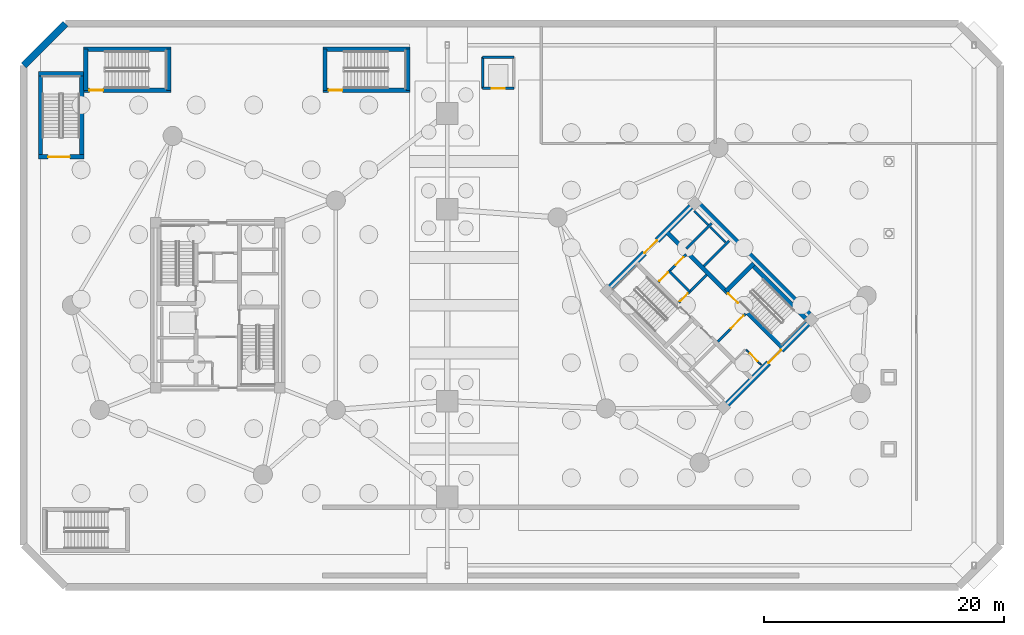
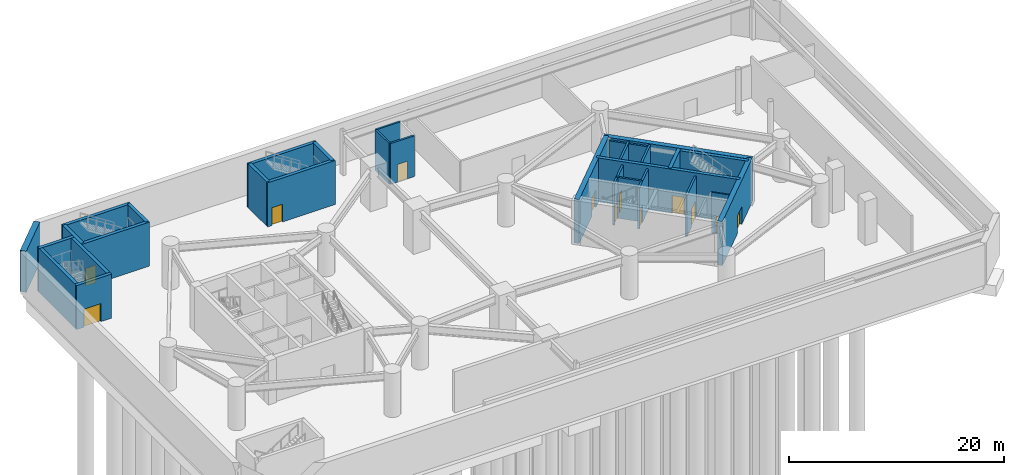
# One storey, part 8 of 15: 31 walls, 12 doors, 12 openings.
"""IFC4 building model written with IfcOpenShell, lengths in metres."""

from ifc_helpers import new_model, si_unit, direction, frame, frame_2d, origin, place, context, subcontext, project, spatial, rectangle, extrude, source, transform, mapped, material, layer, layer_set, type_object, element, fill, save


model = new_model("IFC4")

# Units and contexts
model_context = context("Model", 3, precision=1e-05, world=origin(), true_north=direction((0.0, 1.0)))
body_context = subcontext(model_context, "Body", "Model", "MODEL_VIEW")
ifc_project = project(units=[si_unit("LENGTHUNIT", "METRE"), si_unit("AREAUNIT", "SQUARE_METRE"), si_unit("VOLUMEUNIT", "CUBIC_METRE"), si_unit("PLANEANGLEUNIT", "RADIAN"), si_unit("MASSUNIT", "GRAM", prefix="KILO")], contexts=[model_context])

# Site, building, storey
site_placement = place(None, origin())
site = spatial("IfcSite", under=ifc_project, at=site_placement, CompositionType="ELEMENT")
building_placement = place(site_placement, origin())
building = spatial("IfcBuilding", under=site, at=building_placement, Name="Cununo Teusaquillo Station Towers", CompositionType="ELEMENT")
storey_placement = place(building_placement, frame((0.0, 0.0, -10.0)))
storey = spatial("IfcBuildingStorey", under=building, at=storey_placement, Name="B02", CompositionType="ELEMENT", Elevation=-10.0)

# Walls
ifc_material_1 = material(Name="Concrete C50/60", Category="concrete")
ifc_layer_1 = layer(ifc_material_1, 0.199951171875)
ifc_layer_set_1 = layer_set([ifc_layer_1], Name="Concrete C50/60")
wall_type_1 = type_object("IfcWallType", Name="WL-CORE-200", PredefinedType="SHEAR", material=ifc_layer_set_1)
wall_1_placement = place(storey_placement, frame((57.0615234375, 27.781005859375, 0.0), z_axis=(0.0, 0.0, 1.0), x_axis=(0.707106781187, 0.707106781187, 0.0)))
element("IfcWall", 1, at=wall_1_placement, inside=storey, type_object=wall_type_1, Name="B02 Tower B Low-Rise Lift Hoistway South Shear Wall", PredefinedType="SHEAR", context=body_context, shape_type="SweptSolid", body=[
    extrude(rectangle(XDim=2.969970703125, YDim=0.199951171875, at=frame_2d((1.48486328125, 0.0))), origin(), (0.0, 0.0, 1.0), 5.0),
])
wall_2_placement = place(storey_placement, frame((55.615478515625, 29.22705078125, 0.0), z_axis=(0.0, 0.0, 1.0), x_axis=(0.707147878904, 0.70706568108, 0.0)))
element("IfcWall", 2, at=wall_2_placement, inside=storey, type_object=wall_type_1, Name="B02 Tower B Low-Rise Lift Hoistway Divider Shear Wall", PredefinedType="SHEAR", context=body_context, shape_type="SweptSolid", body=[
    extrude(rectangle(XDim=2.97021484375, YDim=0.199951171875, at=frame_2d((1.485107421875, 0.0))), origin(), (0.0, 0.0, 1.0), 5.0),
])
wall_3_placement = place(storey_placement, frame((58.86474609375, 29.75390625, 0.0), z_axis=(0.0, 0.0, 1.0), x_axis=(-0.707174411312, 0.707039144592, 0.0)))
element("IfcWall", 3, at=wall_3_placement, inside=storey, type_object=wall_type_1, Name="B02 Tower B Low-Rise Lift 1 Shaft Rear Shear Wall", PredefinedType="SHEAR", context=body_context, shape_type="SweptSolid", body=[
    extrude(rectangle(XDim=1.804931640625, YDim=0.199951171875, at=frame_2d((0.90234375, 0.0))), origin(), (0.0, 0.0, 1.0), 5.0),
])
wall_4_placement = place(storey_placement, frame((57.418701171875, 31.19970703125, 0.0), z_axis=(0.0, 0.0, 1.0), x_axis=(-0.707032117043, 0.707181437447, 0.0)))
element("IfcWall", 4, at=wall_4_placement, inside=storey, type_object=wall_type_1, Name="B02 Tower B Low-Rise Lift 2 Shaft Rear Shear Wall", PredefinedType="SHEAR", context=body_context, shape_type="SweptSolid", body=[
    extrude(rectangle(XDim=1.635009765625, YDim=0.199951171875, at=frame_2d((0.8173828125, 0.0))), origin(), (0.0, 0.0, 1.0), 5.0),
])

# Wall, opening, door
ifc_material_2 = material(Name="Concrete C50/60", Category="concrete")
ifc_layer_2 = layer(ifc_material_2, 0.35009765625)
ifc_layer_set_2 = layer_set([ifc_layer_2], Name="Concrete C50/60")
wall_type_2 = type_object("IfcWallType", Name="WL-CORE-350", PredefinedType="SHEAR", material=ifc_layer_set_2)
wall_5_placement = place(storey_placement, frame((25.260009765625, 42.43505859375, 0.0), z_axis=(0.0, 0.0, 1.0), x_axis=(1.0, 0.0, 0.0)))
wall_5 = element("IfcWall", 5, at=wall_5_placement, inside=storey, type_object=wall_type_2, Name="B02 Podium North Exit Stair Concrete Shaft Wall S", PredefinedType="SHEAR", context=body_context, shape_type="SweptSolid", body=[
    extrude(rectangle(XDim=7.280029296875, YDim=0.35009765625, at=frame_2d((3.64013671875, 0.0))), origin(), (0.0, 0.0, 1.0), 5.0),
])
shared_shape_1 = source(origin(), body_context, "Body", "SweptSolid", [
    extrude(rectangle(XDim=1.14990234375, YDim=2.02001953125, at=frame_2d((0.574951171875, 1.010009765625))), frame((0.0, 0.18505859375, 0.0), z_axis=(0.0, -1.0, 0.0), x_axis=(1.0, 0.0, 0.0)), (0.0, 0.0, 1.0), 0.3701171875),
])
opening_1_placement = place(wall_5_placement, frame((0.47998046875, 0.0, 0.0)))
opening_1 = element("IfcOpeningElement", 6, at=opening_1_placement, cuts=wall_5, Name="Opening D-ST1", PredefinedType="OPENING", context=body_context, shape_type="MappedRepresentation", body=[
    mapped(shared_shape_1, transform((0.0, 0.0, 0.0), x_axis=(1.0, 0.0, 0.0), y_axis=(0.0, 1.0, 0.0), z_axis=(0.0, 0.0, 1.0), scale=1.0)),
])
ifc_material_3 = material(Name="Galvanised fire-rated hollow steel door assembly", Category="steel")
door_type_1 = type_object("IfcDoorType", Name="DR-STAIR-1150", OperationType="NOTDEFINED", PredefinedType="DOOR", material=ifc_material_3)
shared_shape_2 = source(origin(), body_context, "Body", "SweptSolid", [
    extrude(rectangle(XDim=1.14990234375, YDim=2.02001953125, at=frame_2d((0.574951171875, 1.010009765625))), frame((0.0, 0.02490234375, 0.0), z_axis=(0.0, -1.0, 0.0), x_axis=(1.0, 0.0, 0.0)), (0.0, 0.0, 1.0), 0.050048828125),
])
door_1_placement = place(opening_1_placement, origin())
door_1 = element("IfcDoor", 7, at=door_1_placement, inside=storey, type_object=door_type_1, Name="B02 North Podium Exit Stair Door", OperationType="SINGLE_SWING_RIGHT", OverallHeight=2.02001953125, OverallWidth=1.14990234375, PredefinedType="DOOR", context=body_context, shape_type="MappedRepresentation", body=[
    mapped(shared_shape_2, transform((0.0, 0.0, 0.0), x_axis=(1.0, 0.0, 0.0), y_axis=(0.0, 1.0, 0.0), z_axis=(0.0, 0.0, 1.0), scale=1.0)),
])
fill(opening_1, door_1)

# Walls
wall_6_placement = place(storey_placement, frame((25.260009765625, 45.864990234375, 0.0), z_axis=(0.0, 0.0, 1.0), x_axis=(1.0, 0.0, 0.0)))
element("IfcWall", 8, at=wall_6_placement, inside=storey, type_object=wall_type_2, Name="B02 Podium North Exit Stair Concrete Shaft Wall N", PredefinedType="SHEAR", context=body_context, shape_type="SweptSolid", body=[
    extrude(rectangle(XDim=7.280029296875, YDim=0.35009765625, at=frame_2d((3.64013671875, 0.0))), origin(), (0.0, 0.0, 1.0), 5.0),
])
for number, where, z_axis, x_axis, name in (
    (9, (25.43505859375, 42.43505859375, 0.0), (0.0, 0.0, 1.0), (0.0, 1.0, 0.0), "B02 Podium North Exit Stair Concrete Shaft Wall W"),
    (10, (32.364990234375, 42.43505859375, 0.0), (0.0, 0.0, 1.0), (0.0, 1.0, 0.0), "B02 Podium North Exit Stair Concrete Shaft Wall E"),
):
    element("IfcWall", number, at=place(storey_placement, frame(where, z_axis=z_axis, x_axis=x_axis)), inside=storey, type_object=wall_type_2, Name=name, PredefinedType="SHEAR", context=body_context, shape_type="SweptSolid", body=[
        extrude(rectangle(XDim=3.429931640625, YDim=0.35009765625, at=frame_2d((1.71484375, 0.0))), origin(), (0.0, 0.0, 1.0), 5.0),
    ])

# Wall, opening, door
wall_7_placement = place(storey_placement, frame((1.5400390625, 36.885009765625, 0.0), z_axis=(0.0, 0.0, 1.0), x_axis=(1.0, 0.0, 0.0)))
wall_7 = element("IfcWall", 11, at=wall_7_placement, inside=storey, type_object=wall_type_2, Name="B02 Podium West Exit Stair Concrete Shaft Wall S", PredefinedType="SHEAR", context=body_context, shape_type="SweptSolid", body=[
    extrude(rectangle(XDim=3.780029296875, YDim=0.35009765625, at=frame_2d((1.89013671875, 0.0))), origin(), (0.0, 0.0, 1.0), 5.0),
])
shared_shape_3 = source(origin(), body_context, "Body", "SweptSolid", [
    extrude(rectangle(XDim=1.800048828125, YDim=2.050048828125, at=frame_2d((0.89990234375, 1.02490234375))), frame((0.0, 0.18505859375, 0.0), z_axis=(0.0, -1.0, 0.0), x_axis=(1.0, 0.0, 0.0)), (0.0, 0.0, 1.0), 0.3701171875),
])
opening_2_placement = place(wall_7_placement, frame((0.81494140625, 0.0, 0.0)))
opening_2 = element("IfcOpeningElement", 12, at=opening_2_placement, cuts=wall_7, Name="Opening D-BG1", PredefinedType="OPENING", context=body_context, shape_type="MappedRepresentation", body=[
    mapped(shared_shape_3, transform((0.0, 0.0, 0.0), x_axis=(1.0, 0.0, 0.0), y_axis=(0.0, 1.0, 0.0), z_axis=(0.0, 0.0, 1.0), scale=1.0)),
])
ifc_material_4 = material(Name="Galvanised fire-rated hollow steel door assembly", Category="steel")
door_type_2 = type_object("IfcDoorType", Name="DR-BRIDGE-1800", OperationType="DOUBLE_DOOR_SINGLE_SWING", PredefinedType="DOOR", material=ifc_material_4)
shared_shape_4 = source(origin(), body_context, "Body", "SweptSolid", [
    extrude(rectangle(XDim=1.800048828125, YDim=2.050048828125, at=frame_2d((0.89990234375, 1.02490234375))), frame((0.0, 0.02490234375, 0.0), z_axis=(0.0, -1.0, 0.0), x_axis=(1.0, 0.0, 0.0)), (0.0, 0.0, 1.0), 0.050048828125),
])
door_2_placement = place(opening_2_placement, origin())
door_2 = element("IfcDoor", 13, at=door_2_placement, inside=storey, type_object=door_type_2, Name="B02 West Podium Exit Stair Door", OperationType="DOUBLE_DOOR_SINGLE_SWING", OverallHeight=2.050048828125, OverallWidth=1.800048828125, PredefinedType="DOOR", context=body_context, shape_type="MappedRepresentation", body=[
    mapped(shared_shape_4, transform((0.0, 0.0, 0.0), x_axis=(1.0, 0.0, 0.0), y_axis=(0.0, 1.0, 0.0), z_axis=(0.0, 0.0, 1.0), scale=1.0)),
])
fill(opening_2, door_2)

# Walls
wall_8_placement = place(storey_placement, frame((1.5400390625, 43.81494140625, 0.0), z_axis=(0.0, 0.0, 1.0), x_axis=(1.0, 0.0, 0.0)))
element("IfcWall", 14, at=wall_8_placement, inside=storey, type_object=wall_type_2, Name="B02 Podium West Exit Stair Concrete Shaft Wall N", PredefinedType="SHEAR", context=body_context, shape_type="SweptSolid", body=[
    extrude(rectangle(XDim=3.780029296875, YDim=0.35009765625, at=frame_2d((1.89013671875, 0.0))), origin(), (0.0, 0.0, 1.0), 5.0),
])
for number, where, z_axis, x_axis, name in (
    (15, (1.715087890625, 36.885009765625, 0.0), (0.0, 0.0, 1.0), (0.0, 1.0, 0.0), "B02 Podium West Exit Stair Concrete Shaft Wall W"),
    (16, (5.14501953125, 36.885009765625, 0.0), (0.0, 0.0, 1.0), (0.0, 1.0, 0.0), "B02 Podium West Exit Stair Concrete Shaft Wall E"),
):
    element("IfcWall", number, at=place(storey_placement, frame(where, z_axis=z_axis, x_axis=x_axis)), inside=storey, type_object=wall_type_2, Name=name, PredefinedType="SHEAR", context=body_context, shape_type="SweptSolid", body=[
        extrude(rectangle(XDim=6.929931640625, YDim=0.35009765625, at=frame_2d((3.46484375, 0.0))), origin(), (0.0, 0.0, 1.0), 5.0),
    ])

# Wall, opening, door
wall_9_placement = place(storey_placement, frame((5.31005859375, 42.43505859375, 0.0), z_axis=(0.0, 0.0, 1.0), x_axis=(1.0, 0.0, 0.0)))
wall_9 = element("IfcWall", 17, at=wall_9_placement, inside=storey, type_object=wall_type_2, Name="B02 Podium North-West Exit Stair Concrete Shaft Wall S", PredefinedType="SHEAR", context=body_context, shape_type="SweptSolid", body=[
    extrude(rectangle(XDim=7.280029296875, YDim=0.35009765625, at=frame_2d((3.64013671875, 0.0))), origin(), (0.0, 0.0, 1.0), 5.0),
])
opening_3_placement = place(wall_9_placement, frame((0.47998046875, 0.0, 0.0)))
opening_3 = element("IfcOpeningElement", 18, at=opening_3_placement, cuts=wall_9, Name="Opening D-ST1", PredefinedType="OPENING", context=body_context, shape_type="MappedRepresentation", body=[
    mapped(shared_shape_1, transform((0.0, 0.0, 0.0), x_axis=(1.0, 0.0, 0.0), y_axis=(0.0, 1.0, 0.0), z_axis=(0.0, 0.0, 1.0), scale=1.0)),
])
door_3_placement = place(opening_3_placement, origin())
door_3 = element("IfcDoor", 19, at=door_3_placement, inside=storey, type_object=door_type_1, Name="B02 North-West Podium Exit Stair Door", OperationType="SINGLE_SWING_RIGHT", OverallHeight=2.02001953125, OverallWidth=1.14990234375, PredefinedType="DOOR", context=body_context, shape_type="MappedRepresentation", body=[
    mapped(shared_shape_2, transform((0.0, 0.0, 0.0), x_axis=(1.0, 0.0, 0.0), y_axis=(0.0, 1.0, 0.0), z_axis=(0.0, 0.0, 1.0), scale=1.0)),
])
fill(opening_3, door_3)

# Walls
wall_10_placement = place(storey_placement, frame((5.31005859375, 45.864990234375, 0.0), z_axis=(0.0, 0.0, 1.0), x_axis=(1.0, 0.0, 0.0)))
element("IfcWall", 20, at=wall_10_placement, inside=storey, type_object=wall_type_2, Name="B02 Podium North-West Exit Stair Concrete Shaft Wall N", PredefinedType="SHEAR", context=body_context, shape_type="SweptSolid", body=[
    extrude(rectangle(XDim=7.280029296875, YDim=0.35009765625, at=frame_2d((3.64013671875, 0.0))), origin(), (0.0, 0.0, 1.0), 5.0),
])
for number, where, z_axis, x_axis, name in (
    (21, (5.485107421875, 42.43505859375, 0.0), (0.0, 0.0, 1.0), (0.0, 1.0, 0.0), "B02 Podium North-West Exit Stair Concrete Shaft Wall W"),
    (22, (12.4150390625, 42.43505859375, 0.0), (0.0, 0.0, 1.0), (0.0, 1.0, 0.0), "B02 Podium North-West Exit Stair Concrete Shaft Wall E"),
):
    element("IfcWall", number, at=place(storey_placement, frame(where, z_axis=z_axis, x_axis=x_axis)), inside=storey, type_object=wall_type_2, Name=name, PredefinedType="SHEAR", context=body_context, shape_type="SweptSolid", body=[
        extrude(rectangle(XDim=3.429931640625, YDim=0.35009765625, at=frame_2d((1.71484375, 0.0))), origin(), (0.0, 0.0, 1.0), 5.0),
    ])

# Wall, opening, door
wall_11_placement = place(storey_placement, frame((63.662353515625, 20.904296875, 0.0), z_axis=(0.0, 0.0, 1.0), x_axis=(-0.707106781187, 0.707106781187, 0.0)))
wall_11 = element("IfcWall", 23, at=wall_11_placement, inside=storey, type_object=wall_type_2, Name="B02 Tower B Core Shear Wall IE", PredefinedType="SHEAR", context=body_context, shape_type="SweptSolid", body=[
    extrude(rectangle(XDim=13.800048828125, YDim=0.35009765625, at=frame_2d((6.89990234375, 0.0))), origin(), (0.0, 0.0, 1.0), 5.0),
])
opening_4_placement = place(wall_11_placement, frame((5.330078125, 0.0, 0.0)))
opening_4 = element("IfcOpeningElement", 24, at=opening_4_placement, cuts=wall_11, Name="Opening D-ST1", PredefinedType="OPENING", context=body_context, shape_type="MappedRepresentation", body=[
    mapped(shared_shape_1, transform((0.0, 0.0, 0.0), x_axis=(1.0, 0.0, 0.0), y_axis=(0.0, 1.0, 0.0), z_axis=(0.0, 0.0, 1.0), scale=1.0)),
])
door_4_placement = place(opening_4_placement, origin())
door_4 = element("IfcDoor", 25, at=door_4_placement, inside=storey, type_object=door_type_1, Name="B02 Tower B Exit Stair 2 Fire Door", OperationType="SINGLE_SWING_LEFT", OverallHeight=2.02001953125, OverallWidth=1.14990234375, PredefinedType="DOOR", context=body_context, shape_type="MappedRepresentation", body=[
    mapped(shared_shape_2, transform((0.0, 0.0, 0.0), x_axis=(1.0, 0.0, 0.0), y_axis=(0.0, 1.0, 0.0), z_axis=(0.0, 0.0, 1.0), scale=1.0)),
])
fill(opening_4, door_4)

# Walls
wall_12_placement = place(storey_placement, frame((65.847412109375, 23.08935546875, 0.0), z_axis=(0.0, 0.0, 1.0), x_axis=(-0.707106781187, 0.707106781187, 0.0)))
element("IfcWall", 26, at=wall_12_placement, inside=storey, type_object=wall_type_2, Name="B02 Tower B Core Shear Wall ST2E", PredefinedType="SHEAR", context=body_context, shape_type="SweptSolid", body=[
    extrude(rectangle(XDim=6.7451171875, YDim=0.35009765625, at=frame_2d((3.37255859375, 0.0))), origin(), (0.0, 0.0, 1.0), 5.0),
])
wall_13_placement = place(storey_placement, frame((58.89306640625, 25.673828125, 0.0), z_axis=(0.0, 0.0, 1.0), x_axis=(0.707106781187, 0.707106781187, 0.0)))
element("IfcWall", 27, at=wall_13_placement, inside=storey, type_object=wall_type_2, Name="B02 Tower B Core Shear Wall ST2N", PredefinedType="SHEAR", context=body_context, shape_type="SweptSolid", body=[
    extrude(rectangle(XDim=3.284912109375, YDim=0.35009765625, at=frame_2d((1.642578125, 0.0))), origin(), (0.0, 0.0, 1.0), 5.0),
])
ifc_material_5 = material(Name="Concrete C60/75", Category="concrete")
ifc_layer_3 = layer(ifc_material_5, 0.5)
ifc_layer_set_3 = layer_set([ifc_layer_3], Name="Concrete C60/75")
wall_type_3 = type_object("IfcWallType", Name="WL-CORE-500", PredefinedType="SHEAR", material=ifc_layer_set_3)
wall_14_placement = place(storey_placement, frame((66.3388671875, 23.227294921875, 0.0), z_axis=(0.0, 0.0, 1.0), x_axis=(-0.707106781187, 0.707106781187, 0.0)))
element("IfcWall", 28, at=wall_14_placement, inside=storey, type_object=wall_type_3, Name="B02 Tower B Core Shear Wall E", PredefinedType="SHEAR", context=body_context, shape_type="SweptSolid", body=[
    extrude(rectangle(XDim=14.2998046875, YDim=0.5, at=frame_2d((7.14990234375, 0.0))), origin(), (0.0, 0.0, 1.0), 5.0),
])

# Wall, opening, door
wall_15_placement = place(storey_placement, frame((58.595947265625, 15.837890625, 0.0), z_axis=(0.0, 0.0, 1.0), x_axis=(0.707106781187, 0.707106781187, 0.0)))
wall_15 = element("IfcWall", 29, at=wall_15_placement, inside=storey, type_object=wall_type_3, Name="B02 Tower B Core Shear Wall S", PredefinedType="SHEAR", context=body_context, shape_type="SweptSolid", body=[
    extrude(rectangle(XDim=10.7001953125, YDim=0.5, at=frame_2d((5.35009765625, 0.0))), origin(), (0.0, 0.0, 1.0), 5.0),
])
shared_shape_5 = source(origin(), body_context, "Body", "SweptSolid", [
    extrude(rectangle(XDim=1.5, YDim=2.02001953125, at=frame_2d((0.75, 1.010009765625))), frame((0.0, 0.260009765625, 0.0), z_axis=(0.0, -1.0, 0.0), x_axis=(1.0, 0.0, 0.0)), (0.0, 0.0, 1.0), 0.52001953125),
])
opening_5_placement = place(wall_15_placement, frame((5.449951171875, 0.0, 0.0)))
opening_5 = element("IfcOpeningElement", 30, at=opening_5_placement, cuts=wall_15, Name="Opening D-LB1", PredefinedType="OPENING", context=body_context, shape_type="MappedRepresentation", body=[
    mapped(shared_shape_5, transform((0.0, 0.0, 0.0), x_axis=(1.0, 0.0, 0.0), y_axis=(0.0, 1.0, 0.0), z_axis=(0.0, 0.0, 1.0), scale=1.0)),
])
ifc_material_6 = material(Name="Galvanised fire-rated hollow steel door assembly", Category="steel")
door_type_3 = type_object("IfcDoorType", Name="DR-LOBBY-1500", OperationType="DOUBLE_DOOR_SINGLE_SWING", PredefinedType="DOOR", material=ifc_material_6)
shared_shape_6 = source(origin(), body_context, "Body", "SweptSolid", [
    extrude(rectangle(XDim=1.5, YDim=2.02001953125, at=frame_2d((0.75, 1.010009765625))), frame((0.0, 0.02490234375, 0.0), z_axis=(0.0, -1.0, 0.0), x_axis=(1.0, 0.0, 0.0)), (0.0, 0.0, 1.0), 0.050048828125),
])
door_5_placement = place(opening_5_placement, origin())
door_5 = element("IfcDoor", 31, at=door_5_placement, inside=storey, type_object=door_type_3, Name="B02 Tower B South Core Lift Lobby Door", OperationType="DOUBLE_DOOR_SINGLE_SWING", OverallHeight=2.02001953125, OverallWidth=1.5, PredefinedType="DOOR", context=body_context, shape_type="MappedRepresentation", body=[
    mapped(shared_shape_6, transform((0.0, 0.0, 0.0), x_axis=(1.0, 0.0, 0.0), y_axis=(0.0, 1.0, 0.0), z_axis=(0.0, 0.0, 1.0), scale=1.0)),
])
fill(opening_5, door_5)

wall_16_placement = place(storey_placement, frame((48.837890625, 25.595947265625, 0.0), z_axis=(0.0, 0.0, 1.0), x_axis=(0.707106781187, 0.707106781187, 0.0)))
wall_16 = element("IfcWall", 32, at=wall_16_placement, inside=storey, type_object=wall_type_3, Name="B02 Tower B Core Shear Wall N", PredefinedType="SHEAR", context=body_context, shape_type="SweptSolid", body=[
    extrude(rectangle(XDim=10.7001953125, YDim=0.5, at=frame_2d((5.35009765625, 0.0))), origin(), (0.0, 0.0, 1.0), 5.0),
])
opening_6_placement = place(wall_16_placement, frame((4.60009765625, 0.0, 0.0)))
opening_6 = element("IfcOpeningElement", 33, at=opening_6_placement, cuts=wall_16, Name="Opening D-LB1", PredefinedType="OPENING", context=body_context, shape_type="MappedRepresentation", body=[
    mapped(shared_shape_5, transform((0.0, 0.0, 0.0), x_axis=(1.0, 0.0, 0.0), y_axis=(0.0, 1.0, 0.0), z_axis=(0.0, 0.0, 1.0), scale=1.0)),
])
door_6_placement = place(opening_6_placement, origin())
door_6 = element("IfcDoor", 34, at=door_6_placement, inside=storey, type_object=door_type_3, Name="B02 Tower B North Core Lift Lobby Door", OperationType="DOUBLE_DOOR_SINGLE_SWING", OverallHeight=2.02001953125, OverallWidth=1.5, PredefinedType="DOOR", context=body_context, shape_type="MappedRepresentation", body=[
    mapped(shared_shape_6, transform((0.0, 0.0, 0.0), x_axis=(1.0, 0.0, 0.0), y_axis=(0.0, 1.0, 0.0), z_axis=(0.0, 0.0, 1.0), scale=1.0)),
])
fill(opening_6, door_6)

ifc_material_7 = material(Name="Fire-rated gypsum plasterboard partition assembly", Category="gypsum")
ifc_layer_4 = layer(ifc_material_7, 0.125)
ifc_layer_set_4 = layer_set([ifc_layer_4], Name="Fire-rated gypsum plasterboard partition assembly")
wall_type_4 = type_object("IfcWallType", Name="WL-PART-125", PredefinedType="PARTITIONING", material=ifc_layer_set_4)
wall_17_placement = place(storey_placement, frame((61.834716796875, 19.529052734375, 0.0), z_axis=(0.0, 0.0, 1.0), x_axis=(-0.707174592913, 0.707038962956, 0.0)))
wall_17 = element("IfcWall", 35, at=wall_17_placement, inside=storey, type_object=wall_type_4, Name="B02 Tower B South-West Compact Store East Wall", PredefinedType="PARTITIONING", context=body_context, shape_type="SweptSolid", body=[
    extrude(rectangle(XDim=1.800048828125, YDim=0.125, at=frame_2d((0.89990234375, 0.0))), origin(), (0.0, 0.0, 1.0), 4.64501953125),
])
shared_shape_7 = source(origin(), body_context, "Body", "SweptSolid", [
    extrude(rectangle(XDim=0.89990234375, YDim=2.0048828125, at=frame_2d((0.449951171875, 1.00244140625))), frame((0.0, 0.072509765625, 0.0), z_axis=(0.0, -1.0, 0.0), x_axis=(1.0, 0.0, 0.0)), (0.0, 0.0, 1.0), 0.14501953125),
])
opening_7_placement = place(wall_17_placement, frame((0.419921875, 0.0, 0.0)))
opening_7 = element("IfcOpeningElement", 36, at=opening_7_placement, cuts=wall_17, Name="Opening D-SR1", PredefinedType="OPENING", context=body_context, shape_type="MappedRepresentation", body=[
    mapped(shared_shape_7, transform((0.0, 0.0, 0.0), x_axis=(1.0, 0.0, 0.0), y_axis=(0.0, 1.0, 0.0), z_axis=(0.0, 0.0, 1.0), scale=1.0)),
])
ifc_material_8 = material(Name="Galvanised fire-rated hollow steel door assembly", Category="steel")
door_type_4 = type_object("IfcDoorType", Name="DR-STORE-900", OperationType="NOTDEFINED", PredefinedType="DOOR", material=ifc_material_8)
shared_shape_8 = source(origin(), body_context, "Body", "SweptSolid", [
    extrude(rectangle(XDim=0.89990234375, YDim=2.0048828125, at=frame_2d((0.449951171875, 1.00244140625))), frame((0.0, 0.02490234375, 0.0), z_axis=(0.0, -1.0, 0.0), x_axis=(1.0, 0.0, 0.0)), (0.0, 0.0, 1.0), 0.050048828125),
])
door_7_placement = place(opening_7_placement, origin())
door_7 = element("IfcDoor", 37, at=door_7_placement, inside=storey, type_object=door_type_4, Name="B02 Tower B Core Electrical & Comms Store Door", OperationType="SINGLE_SWING_RIGHT", OverallHeight=2.0048828125, OverallWidth=0.89990234375, PredefinedType="DOOR", context=body_context, shape_type="MappedRepresentation", body=[
    mapped(shared_shape_8, transform((0.0, 0.0, 0.0), x_axis=(1.0, 0.0, 0.0), y_axis=(0.0, 1.0, 0.0), z_axis=(0.0, 0.0, 1.0), scale=1.0)),
])
fill(opening_7, door_7)

ifc_material_9 = material(Name="Fire-rated gypsum plasterboard partition assembly", Category="gypsum")
ifc_layer_5 = layer(ifc_material_9, 0.199951171875)
ifc_layer_set_5 = layer_set([ifc_layer_5], Name="Fire-rated gypsum plasterboard partition assembly")
wall_type_5 = type_object("IfcWallType", Name="WL-PART-200", PredefinedType="PARTITIONING", material=ifc_layer_set_5)
wall_18_placement = place(storey_placement, frame((38.60009765625, 42.60009765625, 0.0), z_axis=(0.0, 0.0, 1.0), x_axis=(1.0, 0.0, 0.0)))
wall_18 = element("IfcWall", 38, at=wall_18_placement, inside=storey, type_object=wall_type_5, Name="B02 Podium Lift Shaft Enclosure Wall S", PredefinedType="PARTITIONING", context=body_context, shape_type="SweptSolid", body=[
    extrude(rectangle(XDim=2.599853515625, YDim=0.199951171875, at=frame_2d((1.2998046875, 0.0))), origin(), (0.0, 0.0, 1.0), 4.64501953125),
])
shared_shape_9 = source(origin(), body_context, "Body", "SweptSolid", [
    extrude(rectangle(XDim=1.10009765625, YDim=2.014892578125, at=frame_2d((0.550048828125, 1.00732421875))), frame((0.0, 0.10986328125, 0.0), z_axis=(0.0, -1.0, 0.0), x_axis=(1.0, 0.0, 0.0)), (0.0, 0.0, 1.0), 0.219970703125),
])
opening_8_placement = place(wall_18_placement, frame((0.75, 0.0, 0.0)))
opening_8 = element("IfcOpeningElement", 39, at=opening_8_placement, cuts=wall_18, Name="Opening LD-01", PredefinedType="OPENING", context=body_context, shape_type="MappedRepresentation", body=[
    mapped(shared_shape_9, transform((0.0, 0.0, 0.0), x_axis=(1.0, 0.0, 0.0), y_axis=(0.0, 1.0, 0.0), z_axis=(0.0, 0.0, 1.0), scale=1.0)),
])
ifc_material_10 = material(Name="Galvanised fire-rated hollow steel door assembly", Category="steel")
door_type_5 = type_object("IfcDoorType", Name="DR-LIFT-1100", OperationType="SLIDING_TO_LEFT", PredefinedType="DOOR", material=ifc_material_10)
shared_shape_10 = source(origin(), body_context, "Body", "SweptSolid", [
    extrude(rectangle(XDim=1.10009765625, YDim=2.014892578125, at=frame_2d((0.550048828125, 1.00732421875))), frame((0.0, 0.02490234375, 0.0), z_axis=(0.0, -1.0, 0.0), x_axis=(1.0, 0.0, 0.0)), (0.0, 0.0, 1.0), 0.050048828125),
])
door_8_placement = place(opening_8_placement, origin())
door_8 = element("IfcDoor", 40, at=door_8_placement, inside=storey, type_object=door_type_5, Name="B02 Lift PL-POD1 Sliding Landing Door", OperationType="SLIDING_TO_LEFT", OverallHeight=2.014892578125, OverallWidth=1.10009765625, PredefinedType="DOOR", context=body_context, shape_type="MappedRepresentation", body=[
    mapped(shared_shape_10, transform((0.0, 0.0, 0.0), x_axis=(1.0, 0.0, 0.0), y_axis=(0.0, 1.0, 0.0), z_axis=(0.0, 0.0, 1.0), scale=1.0)),
])
fill(opening_8, door_8)

# Walls
for number, where, z_axis, x_axis, name in (
    (41, (38.60009765625, 45.199951171875, 0.0), (0.0, 0.0, 1.0), (1.0, 0.0, 0.0), "B02 Podium Lift Shaft Enclosure Wall N"),
    (42, (38.60009765625, 42.60009765625, 0.0), (0.0, 0.0, 1.0), (0.0, 1.0, 0.0), "B02 Podium Lift Shaft Enclosure Wall W"),
):
    element("IfcWall", number, at=place(storey_placement, frame(where, z_axis=z_axis, x_axis=x_axis)), inside=storey, type_object=wall_type_5, Name=name, PredefinedType="PARTITIONING", context=body_context, shape_type="SweptSolid", body=[
        extrude(rectangle(XDim=2.599853515625, YDim=0.199951171875, at=frame_2d((1.2998046875, 0.0))), origin(), (0.0, 0.0, 1.0), 4.64501953125),
    ])

# Wall, opening, door
wall_19_placement = place(storey_placement, frame((58.214111328125, 21.466552734375, 0.0), z_axis=(0.0, 0.0, 1.0), x_axis=(0.707106781187, 0.707106781187, 0.0)))
wall_19 = element("IfcWall", 43, at=wall_19_placement, inside=storey, type_object=wall_type_5, Name="B02 Tower B Firefighting Lift Lobby South Fire Wall", PredefinedType="PARTITIONING", context=body_context, shape_type="SweptSolid", body=[
    extrude(rectangle(XDim=3.280029296875, YDim=0.199951171875, at=frame_2d((1.64013671875, 0.0))), origin(), (0.0, 0.0, 1.0), 4.64501953125),
])
shared_shape_11 = source(origin(), body_context, "Body", "SweptSolid", [
    extrude(rectangle(XDim=1.5, YDim=2.02001953125, at=frame_2d((0.75, 1.010009765625))), frame((0.0, 0.10986328125, 0.0), z_axis=(0.0, -1.0, 0.0), x_axis=(1.0, 0.0, 0.0)), (0.0, 0.0, 1.0), 0.219970703125),
])
opening_9_placement = place(wall_19_placement, frame((1.550048828125, 0.0, 0.0)))
opening_9 = element("IfcOpeningElement", 44, at=opening_9_placement, cuts=wall_19, Name="Opening D-LB1", PredefinedType="OPENING", context=body_context, shape_type="MappedRepresentation", body=[
    mapped(shared_shape_11, transform((0.0, 0.0, 0.0), x_axis=(1.0, 0.0, 0.0), y_axis=(0.0, 1.0, 0.0), z_axis=(0.0, 0.0, 1.0), scale=1.0)),
])
door_9_placement = place(opening_9_placement, origin())
door_9 = element("IfcDoor", 45, at=door_9_placement, inside=storey, type_object=door_type_3, Name="B02 Tower B Firefighting Lift Lobby South Fire Door", OperationType="DOUBLE_DOOR_SINGLE_SWING", OverallHeight=2.02001953125, OverallWidth=1.5, PredefinedType="DOOR", context=body_context, shape_type="MappedRepresentation", body=[
    mapped(shared_shape_6, transform((0.0, 0.0, 0.0), x_axis=(1.0, 0.0, 0.0), y_axis=(0.0, 1.0, 0.0), z_axis=(0.0, 0.0, 1.0), scale=1.0)),
])
fill(opening_9, door_9)

wall_20_placement = place(storey_placement, frame((54.96142578125, 24.71923828125, 0.0), z_axis=(0.0, 0.0, 1.0), x_axis=(0.707106781187, 0.707106781187, 0.0)))
wall_20 = element("IfcWall", 46, at=wall_20_placement, inside=storey, type_object=wall_type_5, Name="B02 Tower B Firefighting Lift Lobby North Fire Wall", PredefinedType="PARTITIONING", context=body_context, shape_type="SweptSolid", body=[
    extrude(rectangle(XDim=3.280029296875, YDim=0.199951171875, at=frame_2d((1.64013671875, 0.0))), origin(), (0.0, 0.0, 1.0), 4.64501953125),
])
shared_shape_12 = source(origin(), body_context, "Body", "SweptSolid", [
    extrude(rectangle(XDim=0.89990234375, YDim=2.0048828125, at=frame_2d((0.449951171875, 1.00244140625))), frame((0.0, 0.10986328125, 0.0), z_axis=(0.0, -1.0, 0.0), x_axis=(1.0, 0.0, 0.0)), (0.0, 0.0, 1.0), 0.219970703125),
])
opening_10_placement = place(wall_20_placement, frame((0.159912109375, 0.0, 0.0)))
opening_10 = element("IfcOpeningElement", 47, at=opening_10_placement, cuts=wall_20, Name="Opening D-SR1", PredefinedType="OPENING", context=body_context, shape_type="MappedRepresentation", body=[
    mapped(shared_shape_12, transform((0.0, 0.0, 0.0), x_axis=(1.0, 0.0, 0.0), y_axis=(0.0, 1.0, 0.0), z_axis=(0.0, 0.0, 1.0), scale=1.0)),
])
door_10_placement = place(opening_10_placement, origin())
door_10 = element("IfcDoor", 48, at=door_10_placement, inside=storey, type_object=door_type_4, Name="B02 Tower B Stair 1 Protected Vestibule South Door", OperationType="SINGLE_SWING_RIGHT", OverallHeight=2.0048828125, OverallWidth=0.89990234375, PredefinedType="DOOR", context=body_context, shape_type="MappedRepresentation", body=[
    mapped(shared_shape_8, transform((0.0, 0.0, 0.0), x_axis=(1.0, 0.0, 0.0), y_axis=(0.0, 1.0, 0.0), z_axis=(0.0, 0.0, 1.0), scale=1.0)),
])
fill(opening_10, door_10)

# Wall
wall_21_placement = place(storey_placement, frame((55.873779296875, 25.63134765625, 0.0), z_axis=(0.0, 0.0, 1.0), x_axis=(-0.707157639372, 0.707055919343, 0.0)))
element("IfcWall", 49, at=wall_21_placement, inside=storey, type_object=wall_type_5, Name="B02 Tower B Stair 1 Vestibule Partition Wall", PredefinedType="PARTITIONING", context=body_context, shape_type="SweptSolid", body=[
    extrude(rectangle(XDim=2.400146484375, YDim=0.199951171875, at=frame_2d((1.2001953125, 0.0))), origin(), (0.0, 0.0, 1.0), 4.64501953125),
])

# Wall, openings, doors
wall_22_placement = place(storey_placement, frame((53.264404296875, 26.416259765625, 0.0), z_axis=(0.0, 0.0, 1.0), x_axis=(0.707106781187, 0.707106781187, 0.0)))
wall_22 = element("IfcWall", 50, at=wall_22_placement, inside=storey, type_object=wall_type_5, Name="B02 Tower B North Lift Lobby South Fire Wall", PredefinedType="PARTITIONING", context=body_context, shape_type="SweptSolid", body=[
    extrude(rectangle(XDim=3.280029296875, YDim=0.199951171875, at=frame_2d((1.64013671875, 0.0))), origin(), (0.0, 0.0, 1.0), 4.64501953125),
])
shared_shape_13 = source(origin(), body_context, "Body", "SweptSolid", [
    extrude(rectangle(XDim=1.0, YDim=2.014892578125, at=frame_2d((0.5, 1.00732421875))), frame((0.0, 0.10986328125, 0.0), z_axis=(0.0, -1.0, 0.0), x_axis=(1.0, 0.0, 0.0)), (0.0, 0.0, 1.0), 0.219970703125),
])
opening_11_placement = place(wall_22_placement, frame((0.139892578125, 0.0, 0.0)))
opening_11 = element("IfcOpeningElement", 51, at=opening_11_placement, cuts=wall_22, Name="Opening D-AC1", PredefinedType="OPENING", context=body_context, shape_type="MappedRepresentation", body=[
    mapped(shared_shape_13, transform((0.0, 0.0, 0.0), x_axis=(1.0, 0.0, 0.0), y_axis=(0.0, 1.0, 0.0), z_axis=(0.0, 0.0, 1.0), scale=1.0)),
])
opening_12_placement = place(wall_22_placement, frame((2.050048828125, 0.0, 0.0)))
opening_12 = element("IfcOpeningElement", 52, at=opening_12_placement, cuts=wall_22, Name="Opening D-SR1", PredefinedType="OPENING", context=body_context, shape_type="MappedRepresentation", body=[
    mapped(shared_shape_12, transform((0.0, 0.0, 0.0), x_axis=(1.0, 0.0, 0.0), y_axis=(0.0, 1.0, 0.0), z_axis=(0.0, 0.0, 1.0), scale=1.0)),
])
door_11_placement = place(opening_12_placement, origin())
door_11 = element("IfcDoor", 53, at=door_11_placement, inside=storey, type_object=door_type_4, Name="B02 Tower B Core Housekeeping & Linen Store Door", OperationType="SINGLE_SWING_LEFT", OverallHeight=2.0048828125, OverallWidth=0.89990234375, PredefinedType="DOOR", context=body_context, shape_type="MappedRepresentation", body=[
    mapped(shared_shape_8, transform((0.0, 0.0, 0.0), x_axis=(1.0, 0.0, 0.0), y_axis=(0.0, 1.0, 0.0), z_axis=(0.0, 0.0, 1.0), scale=1.0)),
])
fill(opening_12, door_11)
ifc_material_11 = material(Name="Acoustic solid-core hardwood leaf assembly", Category="wood")
door_type_6 = type_object("IfcDoorType", Name="DR-ACC-1000", OperationType="NOTDEFINED", PredefinedType="DOOR", material=ifc_material_11)
shared_shape_14 = source(origin(), body_context, "Body", "SweptSolid", [
    extrude(rectangle(XDim=1.0, YDim=2.014892578125, at=frame_2d((0.5, 1.00732421875))), frame((0.0, 0.02490234375, 0.0), z_axis=(0.0, -1.0, 0.0), x_axis=(1.0, 0.0, 0.0)), (0.0, 0.0, 1.0), 0.050048828125),
])
door_12_placement = place(opening_11_placement, origin())
door_12 = element("IfcDoor", 54, at=door_12_placement, inside=storey, type_object=door_type_6, Name="B02 Tower B North Lift Lobby to Stair 1 Vestibule Door", OperationType="SINGLE_SWING_LEFT", OverallHeight=2.014892578125, OverallWidth=1.0, PredefinedType="DOOR", context=body_context, shape_type="MappedRepresentation", body=[
    mapped(shared_shape_14, transform((0.0, 0.0, 0.0), x_axis=(1.0, 0.0, 0.0), y_axis=(0.0, 1.0, 0.0), z_axis=(0.0, 0.0, 1.0), scale=1.0)),
])
fill(opening_11, door_12)

# Wall
ifc_material_12 = material(Name="Concrete C50/60", Category="concrete")
ifc_layer_6 = layer(ifc_material_12, 0.60009765625)
ifc_layer_set_6 = layer_set([ifc_layer_6], Name="Concrete C50/60")
wall_type_6 = type_object("IfcWallType", Name="WL-RET-600", PredefinedType="SOLIDWALL", material=ifc_layer_set_6)
wall_23_placement = place(storey_placement, frame((3.800048828125, 48.0, 0.0), z_axis=(0.0, 0.0, 1.0), x_axis=(-0.707106781187, -0.707106781187, 0.0)))
element("IfcWall", 55, at=wall_23_placement, inside=storey, type_object=wall_type_6, Name="B02 Basement Diaphragm Retaining Wall 6", PredefinedType="SOLIDWALL", context=body_context, shape_type="SweptSolid", body=[
    extrude(rectangle(XDim=4.94970703125, YDim=0.60009765625, at=frame_2d((2.474853515625, 0.0))), origin(), (0.0, 0.0, 1.0), 4.659912109375),
])

save(model, "model.ifc")
